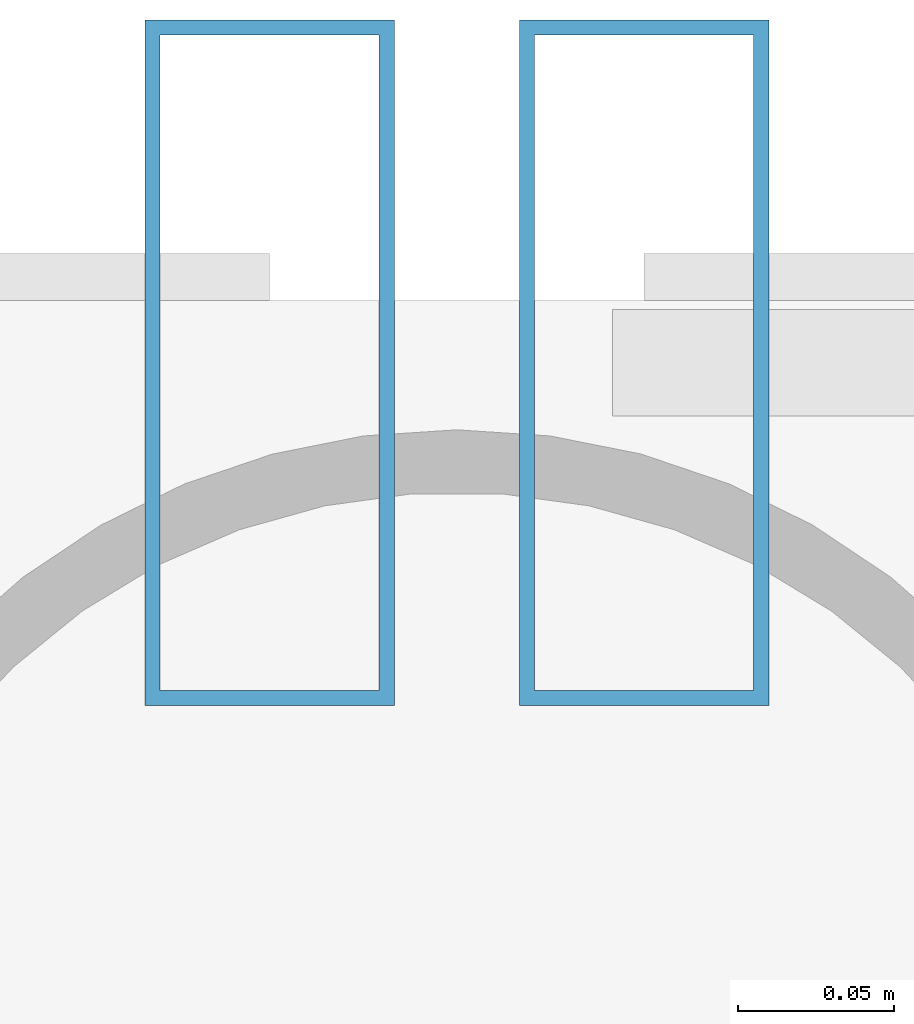
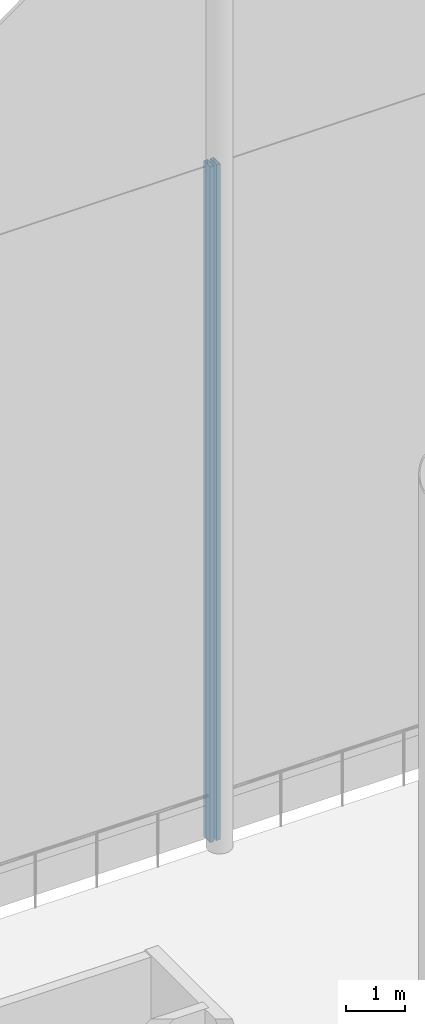
# One storey, part 28 of 42: 2 members, 2 elements without a shape of their own.
"""IFC4 building model written with IfcOpenShell, lengths in metres."""

from ifc_helpers import new_model, si_unit, direction, frame, origin, origin_2d, place, context, subcontext, project, spatial, hollow_rectangle, extrude, material, layer, layer_set, material_profile, profile_set, type_object, element, aggregate, save


model = new_model("IFC4")

# Units and contexts
model_context = context("Model", 3, precision=1e-05, world=origin(), true_north=direction((0.0, 1.0)))
body_context = subcontext(model_context, "Body", "Model", "MODEL_VIEW")
ifc_project = project(units=[si_unit("LENGTHUNIT", "METRE"), si_unit("AREAUNIT", "SQUARE_METRE"), si_unit("VOLUMEUNIT", "CUBIC_METRE"), si_unit("PLANEANGLEUNIT", "RADIAN"), si_unit("MASSUNIT", "GRAM", prefix="KILO")], contexts=[model_context])

# Site, building, storey
site_placement = place(None, origin())
site = spatial("IfcSite", under=ifc_project, at=site_placement, CompositionType="ELEMENT")
building_placement = place(site_placement, origin())
building = spatial("IfcBuilding", under=site, at=building_placement, Name="Kallvorn Hotel Tower", CompositionType="ELEMENT")
storey_placement = place(building_placement, frame((0.0, 0.0, 306.0)))
storey = spatial("IfcBuildingStorey", under=building, at=storey_placement, Name="ROOF", CompositionType="ELEMENT", Elevation=306.0)

# Curtain wall, member
ifc_material_1 = material(Name="Thermally broken black-anodised aluminium AA 6063-T6", Category="aluminium")
ifc_layer = layer(ifc_material_1, 0.18994140625)
ifc_layer_set = layer_set([ifc_layer], Name="CW_SYS_7_CROWN_DRUM")
curtain_wall_type = type_object("IfcCurtainWallType", Name="CW_SYS_7_CROWN_DRUM", PredefinedType="USERDEFINED", material=ifc_layer_set)
curtain_wall_1_placement = place(storey_placement, origin())
curtain_wall_1 = element("IfcCurtainWall", 1, at=curtain_wall_1_placement, inside=storey, type_object=curtain_wall_type, Name="ROOF Dark-Glass Curtain Wall CW-ROOF-N1", ObjectType="UNITISED CURTAIN WALL", PredefinedType="USERDEFINED")
ifc_material_2 = material(Name="Thermally broken black-anodised aluminium AA 6063-T6", Category="aluminium")
ifc_material_profile = material_profile(ifc_material_2, hollow_rectangle(XDim=0.080078125, YDim=0.219970703125, WallThickness=0.0048828125, at=origin_2d()), Name="MUL 220x80")
ifc_profile_set = profile_set([ifc_material_profile], Name="Thermally broken black-anodised aluminium AA 6063-T6")
member_type = type_object("IfcMemberType", Name="CW_MULLION_220x80", PredefinedType="MULLION", material=ifc_profile_set)
member_1_placement = place(storey_placement, frame((-4.860107421875, 14.64990234375, 0.02001953125), z_axis=(0.0, 0.0, 1.0), x_axis=(1.0, 0.0, 0.0)))
member_1 = element("IfcMember", 2, at=member_1_placement, type_object=member_type, Name="CW-ROOF-N1 Mullion 02", PredefinedType="MULLION", context=body_context, shape_type="SweptSolid", body=[
    extrude(hollow_rectangle(XDim=0.080078125, YDim=0.219970703125, WallThickness=0.0048828125, at=origin_2d()), origin(), (0.0, 0.0, 1.0), 13.9599609375),
])
aggregate(curtain_wall_1, [member_1])

curtain_wall_2_placement = place(storey_placement, origin())
curtain_wall_2 = element("IfcCurtainWall", 3, at=curtain_wall_2_placement, inside=storey, type_object=curtain_wall_type, Name="ROOF Dark-Glass Curtain Wall CW-ROOF-N2", ObjectType="UNITISED CURTAIN WALL", PredefinedType="USERDEFINED")
member_2_placement = place(storey_placement, frame((-4.739990234375, 14.64990234375, 0.02001953125), z_axis=(0.0, 0.0, 1.0), x_axis=(1.0, 0.0, 0.0)))
member_2 = element("IfcMember", 4, at=member_2_placement, type_object=member_type, Name="CW-ROOF-N2 Mullion 00", PredefinedType="MULLION", context=body_context, shape_type="SweptSolid", body=[
    extrude(hollow_rectangle(XDim=0.080078125, YDim=0.219970703125, WallThickness=0.0048828125, at=origin_2d()), origin(), (0.0, 0.0, 1.0), 13.9599609375),
])
aggregate(curtain_wall_2, [member_2])

save(model, "model.ifc")
